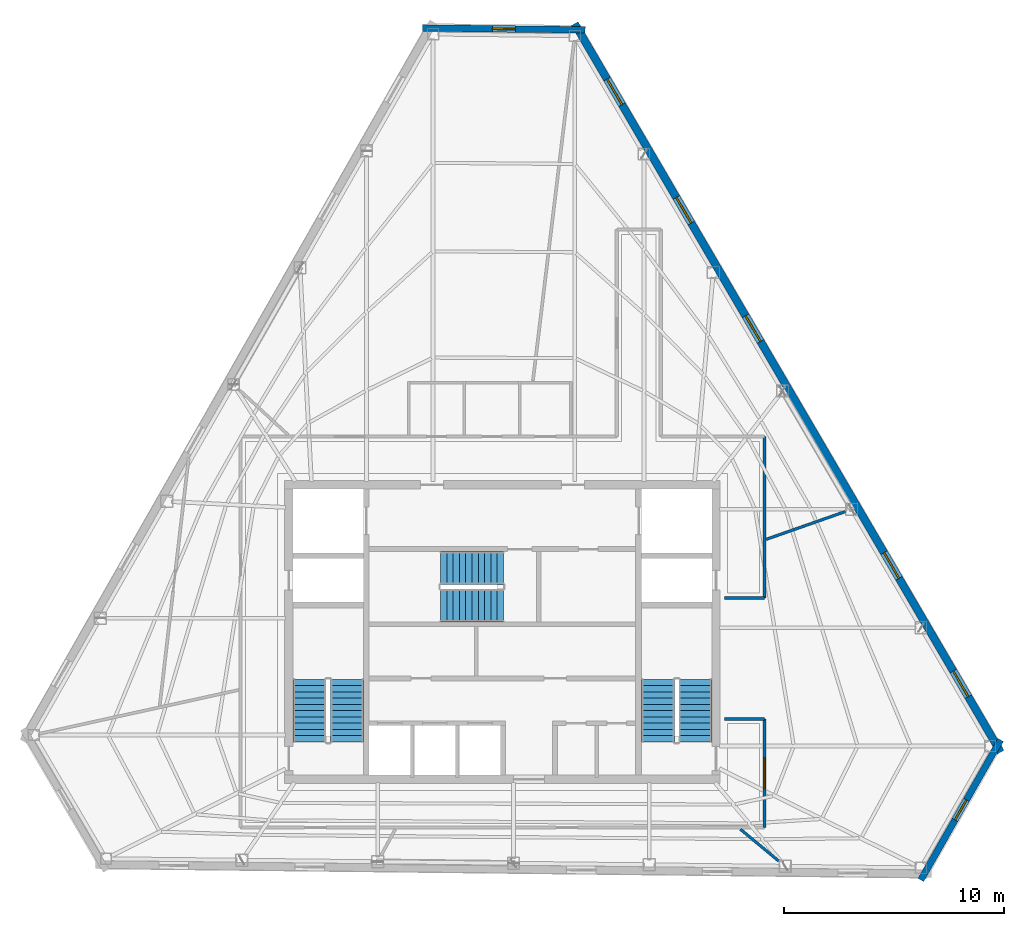
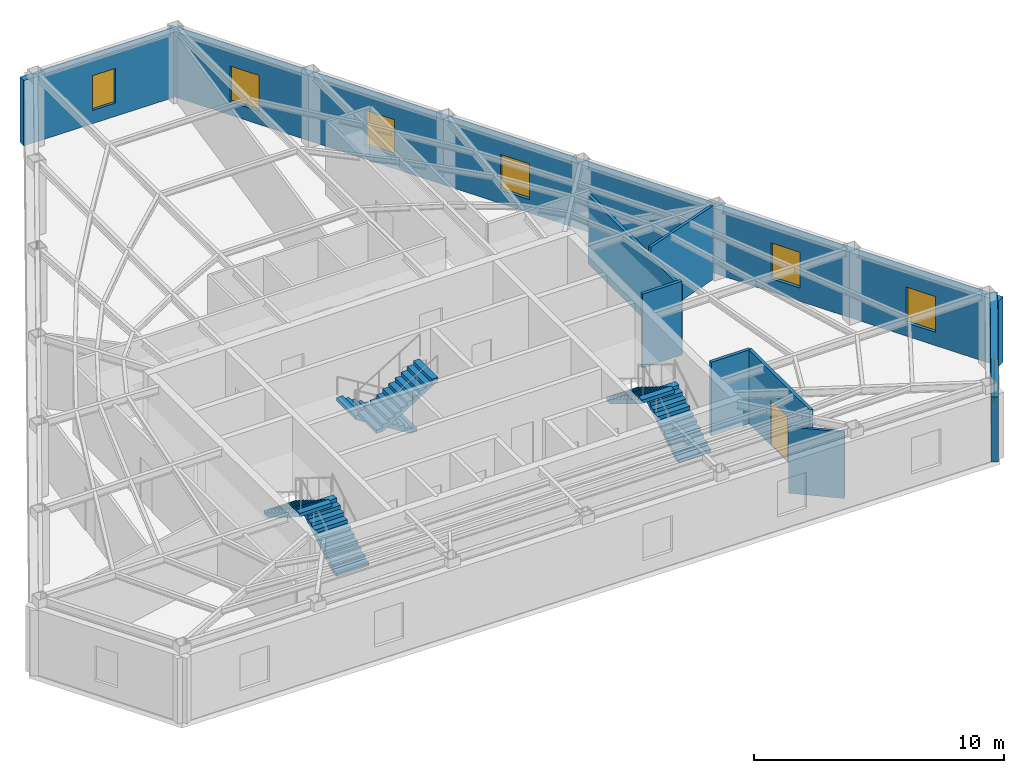
# One storey, part 9 of 10: 9 walls, 7 windows, 6 stair flights, 1 door, 8 openings, 3 elements without a shape of their own.
"""IFC4 building model written with IfcOpenShell, lengths in metres."""

from ifc_helpers import new_model, si_unit, direction, frame, frame_2d, origin, place, context, subcontext, project, spatial, polyline, rectangle, outline, extrude, material, layer, layer_set, type_object, element, fill, aggregate, save


model = new_model("IFC4")

# Units and contexts
model_context = context("Model", 3, precision=1e-05, world=origin(), true_north=direction((0.0, 1.0)))
body_context = subcontext(model_context, "Body", "Model", "MODEL_VIEW")
ifc_project = project(units=[si_unit("LENGTHUNIT", "METRE"), si_unit("AREAUNIT", "SQUARE_METRE"), si_unit("VOLUMEUNIT", "CUBIC_METRE"), si_unit("PLANEANGLEUNIT", "RADIAN"), si_unit("MASSUNIT", "GRAM", prefix="KILO")], contexts=[model_context])

# Site, building, storey
site_placement = place(None, origin())
site = spatial("IfcSite", under=ifc_project, at=site_placement, CompositionType="ELEMENT")
building_placement = place(site_placement, origin())
building = spatial("IfcBuilding", under=site, at=building_placement, Name="Kavelnor Concourse Tower", CompositionType="ELEMENT")
storey_placement = place(building_placement, frame((0.0, 0.0, 251.050048828125)))
storey = spatial("IfcBuildingStorey", under=building, at=storey_placement, Name="L63", CompositionType="ELEMENT", Elevation=251.050048828125)

# Wall, opening, window
ifc_material_1 = material(Name="Buff ironspot clay face brick masonry", Category="masonry")
ifc_layer_1 = layer(ifc_material_1, 0.300048828125, Name="Buff ironspot clay face brick masonry")
ifc_layer_set_1 = layer_set([ifc_layer_1], Name="Buff ironspot clay face brick masonry")
wall_type_1 = type_object("IfcWallType", Name="WL-EXT-BUFF-BRICK-FOLD-300", PredefinedType="STANDARD", material=ifc_layer_set_1)
wall_1_placement = place(storey_placement, frame((34.367431640625, 43.563720703125, 0.0), z_axis=(0.0, 0.0, 1.0), x_axis=(0.999937028375, -0.011222267359, 0.0)))
wall_1 = element("IfcWall", 1, at=wall_1_placement, inside=storey, type_object=wall_type_1, Name="L63 Exterior Brick Facade Wall E0", PredefinedType="STANDARD", context=body_context, shape_type="SweptSolid", body=[
    extrude(rectangle(XDim=7.396728515625, YDim=0.300048828125, at=frame_2d((3.6982421875, 0.0))), origin(), (0.0, 0.0, 1.0), 3.196044921875),
])
opening_1_placement = place(wall_1_placement, frame((3.17333984375, 0.0, 0.64990234375)))
opening_1 = element("IfcOpeningElement", 2, at=opening_1_placement, cuts=wall_1, Name="Opening W-06", PredefinedType="OPENING", context=body_context, shape_type="SweptSolid", body=[
    extrude(rectangle(XDim=1.050048828125, YDim=1.699951171875, at=frame_2d((0.52490234375, 0.85009765625))), frame((0.0, 0.16015625, 0.0), z_axis=(0.0, -1.0, 0.0), x_axis=(1.0, 0.0, 0.0)), (0.0, 0.0, 1.0), 0.320068359375),
])
ifc_material_2 = material(Name="Double low-E argon insulated glazing", Category="glass")
window_type_1 = type_object("IfcWindowType", Name="WIN-FOLD-1050", PartitioningType="SINGLE_PANEL", PredefinedType="WINDOW", material=ifc_material_2)
window_1_placement = place(opening_1_placement, origin())
window_1 = element("IfcWindow", 3, at=window_1_placement, inside=storey, type_object=window_type_1, Name="L63 Chamfer-Fold Facet Window C0", OverallHeight=1.699951171875, OverallWidth=1.050048828125, PartitioningType="SINGLE_PANEL", PredefinedType="WINDOW", context=body_context, shape_type="SweptSolid", body=[
    extrude(rectangle(XDim=1.050048828125, YDim=1.699951171875, at=frame_2d((0.52490234375, 0.85009765625))), frame((0.0, 0.030029296875, 0.0), z_axis=(0.0, -1.0, 0.0), x_axis=(1.0, 0.0, 0.0)), (0.0, 0.0, 1.0), 0.06005859375),
])
fill(opening_1, window_1)

wall_2_placement = place(storey_placement, frame((60.65087890625, 11.19140625, 0.0), z_axis=(0.0, 0.0, 1.0), x_axis=(-0.495112521008, -0.868828862056, 0.0)))
wall_2 = element("IfcWall", 4, at=wall_2_placement, inside=storey, type_object=wall_type_1, Name="L63 Exterior Brick Facade Wall E4", PredefinedType="STANDARD", context=body_context, shape_type="SweptSolid", body=[
    extrude(rectangle(XDim=7.328369140625, YDim=0.300048828125, at=frame_2d((3.6640625, 0.0))), origin(), (0.0, 0.0, 1.0), 3.196044921875),
])
opening_2_placement = place(wall_2_placement, frame((3.139404296875, 0.0, 0.64990234375)))
opening_2 = element("IfcOpeningElement", 5, at=opening_2_placement, cuts=wall_2, Name="Opening W-06", PredefinedType="OPENING", context=body_context, shape_type="SweptSolid", body=[
    extrude(rectangle(XDim=1.050048828125, YDim=1.699951171875, at=frame_2d((0.52490234375, 0.85009765625))), frame((0.0, 0.16015625, 0.0), z_axis=(0.0, -1.0, 0.0), x_axis=(1.0, 0.0, 0.0)), (0.0, 0.0, 1.0), 0.320068359375),
])
window_2_placement = place(opening_2_placement, origin())
window_2 = element("IfcWindow", 6, at=window_2_placement, inside=storey, type_object=window_type_1, Name="L63 Chamfer-Fold Facet Window C2", OverallHeight=1.699951171875, OverallWidth=1.050048828125, PartitioningType="SINGLE_PANEL", PredefinedType="WINDOW", context=body_context, shape_type="SweptSolid", body=[
    extrude(rectangle(XDim=1.050048828125, YDim=1.699951171875, at=frame_2d((0.52490234375, 0.85009765625))), frame((0.0, 0.030029296875, 0.0), z_axis=(0.0, -1.0, 0.0), x_axis=(1.0, 0.0, 0.0)), (0.0, 0.0, 1.0), 0.06005859375),
])
fill(opening_2, window_2)

# Wall, openings, windows
ifc_material_3 = material(Name="Red-ochre clay face brick masonry", Category="masonry")
ifc_layer_2 = layer(ifc_material_3, 0.35009765625, Name="Red-ochre clay face brick masonry")
ifc_layer_set_2 = layer_set([ifc_layer_2], Name="Red-ochre clay face brick masonry")
wall_type_2 = type_object("IfcWallType", Name="WL-EXT-RED-BRICK-PIER-350", PredefinedType="STANDARD", material=ifc_layer_set_2)
wall_3_placement = place(storey_placement, frame((41.28369140625, 43.759521484375, 0.0), z_axis=(0.0, 0.0, 1.0), x_axis=(0.50479404613, -0.863239810824, 0.0)))
wall_3 = element("IfcWall", 7, at=wall_3_placement, inside=storey, type_object=wall_type_2, Name="L63 Exterior Brick Facade Wall E5", PredefinedType="STANDARD", context=body_context, shape_type="SweptSolid", body=[
    extrude(rectangle(XDim=38.372314453125, YDim=0.35009765625, at=frame_2d((19.18603515625, 0.0))), origin(), (0.0, 0.0, 1.0), 3.196044921875),
])
opening_3_placement = place(wall_3_placement, frame((34.1015625, 0.0, 0.64990234375)))
opening_3 = element("IfcOpeningElement", 8, at=opening_3_placement, cuts=wall_3, Name="Opening W-04", PredefinedType="OPENING", context=body_context, shape_type="SweptSolid", body=[
    extrude(rectangle(XDim=1.35009765625, YDim=1.75, at=frame_2d((0.675048828125, 0.875))), frame((0.0, 0.18505859375, 0.0), z_axis=(0.0, -1.0, 0.0), x_axis=(1.0, 0.0, 0.0)), (0.0, 0.0, 1.0), 0.3701171875),
])
opening_4_placement = place(wall_3_placement, frame((27.8642578125, 0.0, 0.64990234375)))
opening_4 = element("IfcOpeningElement", 9, at=opening_4_placement, cuts=wall_3, Name="Opening W-04", PredefinedType="OPENING", context=body_context, shape_type="SweptSolid", body=[
    extrude(rectangle(XDim=1.35009765625, YDim=1.75, at=frame_2d((0.675048828125, 0.875))), frame((0.0, 0.18505859375, 0.0), z_axis=(0.0, -1.0, 0.0), x_axis=(1.0, 0.0, 0.0)), (0.0, 0.0, 1.0), 0.3701171875),
])
opening_5_placement = place(wall_3_placement, frame((15.389892578125, 0.0, 0.64990234375)))
opening_5 = element("IfcOpeningElement", 10, at=opening_5_placement, cuts=wall_3, Name="Opening W-04", PredefinedType="OPENING", context=body_context, shape_type="SweptSolid", body=[
    extrude(rectangle(XDim=1.35009765625, YDim=1.75, at=frame_2d((0.675048828125, 0.875))), frame((0.0, 0.18505859375, 0.0), z_axis=(0.0, -1.0, 0.0), x_axis=(1.0, 0.0, 0.0)), (0.0, 0.0, 1.0), 0.3701171875),
])
opening_6_placement = place(wall_3_placement, frame((9.152587890625, 0.0, 0.64990234375)))
opening_6 = element("IfcOpeningElement", 11, at=opening_6_placement, cuts=wall_3, Name="Opening W-04", PredefinedType="OPENING", context=body_context, shape_type="SweptSolid", body=[
    extrude(rectangle(XDim=1.35009765625, YDim=1.75, at=frame_2d((0.675048828125, 0.875))), frame((0.0, 0.18505859375, 0.0), z_axis=(0.0, -1.0, 0.0), x_axis=(1.0, 0.0, 0.0)), (0.0, 0.0, 1.0), 0.3701171875),
])
opening_7_placement = place(wall_3_placement, frame((2.915283203125, 0.0, 0.64990234375)))
opening_7 = element("IfcOpeningElement", 12, at=opening_7_placement, cuts=wall_3, Name="Opening W-04", PredefinedType="OPENING", context=body_context, shape_type="SweptSolid", body=[
    extrude(rectangle(XDim=1.35009765625, YDim=1.75, at=frame_2d((0.675048828125, 0.875))), frame((0.0, 0.18505859375, 0.0), z_axis=(0.0, -1.0, 0.0), x_axis=(1.0, 0.0, 0.0)), (0.0, 0.0, 1.0), 0.3701171875),
])
window_type_2 = type_object("IfcWindowType", Name="WIN-PIER-Z4-1350", PartitioningType="SINGLE_PANEL", PredefinedType="WINDOW", material=ifc_material_2)
window_3_placement = place(opening_3_placement, origin())
window_3 = element("IfcWindow", 13, at=window_3_placement, inside=storey, type_object=window_type_2, Name="L63 Deep-Set Brick Pier Window F2-B0", OverallHeight=1.75, OverallWidth=1.35009765625, PartitioningType="SINGLE_PANEL", PredefinedType="WINDOW", context=body_context, shape_type="SweptSolid", body=[
    extrude(rectangle(XDim=1.35009765625, YDim=1.75, at=frame_2d((0.675048828125, 0.875))), frame((0.0, 0.030029296875, 0.0), z_axis=(0.0, -1.0, 0.0), x_axis=(1.0, 0.0, 0.0)), (0.0, 0.0, 1.0), 0.06005859375),
])
fill(opening_3, window_3)
window_4_placement = place(opening_4_placement, origin())
window_4 = element("IfcWindow", 14, at=window_4_placement, inside=storey, type_object=window_type_2, Name="L63 Deep-Set Brick Pier Window F2-B1", OverallHeight=1.75, OverallWidth=1.35009765625, PartitioningType="SINGLE_PANEL", PredefinedType="WINDOW", context=body_context, shape_type="SweptSolid", body=[
    extrude(rectangle(XDim=1.35009765625, YDim=1.75, at=frame_2d((0.675048828125, 0.875))), frame((0.0, 0.030029296875, 0.0), z_axis=(0.0, -1.0, 0.0), x_axis=(1.0, 0.0, 0.0)), (0.0, 0.0, 1.0), 0.06005859375),
])
fill(opening_4, window_4)
window_5_placement = place(opening_5_placement, origin())
window_5 = element("IfcWindow", 15, at=window_5_placement, inside=storey, type_object=window_type_2, Name="L63 Deep-Set Brick Pier Window F2-B3", OverallHeight=1.75, OverallWidth=1.35009765625, PartitioningType="SINGLE_PANEL", PredefinedType="WINDOW", context=body_context, shape_type="SweptSolid", body=[
    extrude(rectangle(XDim=1.35009765625, YDim=1.75, at=frame_2d((0.675048828125, 0.875))), frame((0.0, 0.030029296875, 0.0), z_axis=(0.0, -1.0, 0.0), x_axis=(1.0, 0.0, 0.0)), (0.0, 0.0, 1.0), 0.06005859375),
])
fill(opening_5, window_5)
window_6_placement = place(opening_6_placement, origin())
window_6 = element("IfcWindow", 16, at=window_6_placement, inside=storey, type_object=window_type_2, Name="L63 Deep-Set Brick Pier Window F2-B4", OverallHeight=1.75, OverallWidth=1.35009765625, PartitioningType="SINGLE_PANEL", PredefinedType="WINDOW", context=body_context, shape_type="SweptSolid", body=[
    extrude(rectangle(XDim=1.35009765625, YDim=1.75, at=frame_2d((0.675048828125, 0.875))), frame((0.0, 0.030029296875, 0.0), z_axis=(0.0, -1.0, 0.0), x_axis=(1.0, 0.0, 0.0)), (0.0, 0.0, 1.0), 0.06005859375),
])
fill(opening_6, window_6)
window_7_placement = place(opening_7_placement, origin())
window_7 = element("IfcWindow", 17, at=window_7_placement, inside=storey, type_object=window_type_2, Name="L63 Deep-Set Brick Pier Window F2-B5", OverallHeight=1.75, OverallWidth=1.35009765625, PartitioningType="SINGLE_PANEL", PredefinedType="WINDOW", context=body_context, shape_type="SweptSolid", body=[
    extrude(rectangle(XDim=1.35009765625, YDim=1.75, at=frame_2d((0.675048828125, 0.875))), frame((0.0, 0.030029296875, 0.0), z_axis=(0.0, -1.0, 0.0), x_axis=(1.0, 0.0, 0.0)), (0.0, 0.0, 1.0), 0.06005859375),
])
fill(opening_7, window_7)

# Walls
ifc_material_4 = material(Name="Gypsum plasterboard on light-gauge steel studs", Category="steel")
ifc_layer_3 = layer(ifc_material_4, 0.14501953125, Name="Gypsum plasterboard on light-gauge steel studs")
ifc_layer_set_3 = layer_set([ifc_layer_3], Name="Gypsum plasterboard on light-gauge steel studs")
wall_type_3 = type_object("IfcWallType", Name="WL-INT-CORR-145", PredefinedType="PARTITIONING", material=ifc_layer_set_3)
wall_4_placement = place(storey_placement, frame((49.909912109375, 24.989990234375, 0.0), z_axis=(0.0, 0.0, 1.0), x_axis=(0.0, -1.0, 0.0)))
element("IfcWall", 18, at=wall_4_placement, inside=storey, type_object=wall_type_3, Name="L63 Corridor Wall WL-L63-CR-05", PredefinedType="PARTITIONING", context=body_context, shape_type="SweptSolid", body=[
    extrude(rectangle(XDim=7.340087890625, YDim=0.14501953125, at=frame_2d((3.669921875, 0.0))), origin(), (0.0, 0.0, 1.0), 3.348876953125),
])
for number, where, z_axis, x_axis, name in (
    (19, (49.909912109375, 17.64990234375, 0.0), (0.0, 0.0, 1.0), (-1.0, 0.0, 0.0), "L63 Corridor Wall WL-L63-CR-06"),
    (20, (48.090087890625, 12.14990234375, 0.0), (0.0, 0.0, 1.0), (1.0, 0.0, 0.0), "L63 Corridor Wall WL-L63-CR-07"),
):
    element("IfcWall", number, at=place(storey_placement, frame(where, z_axis=z_axis, x_axis=x_axis)), inside=storey, type_object=wall_type_3, Name=name, PredefinedType="PARTITIONING", context=body_context, shape_type="SweptSolid", body=[
        extrude(rectangle(XDim=1.81982421875, YDim=0.14501953125, at=frame_2d((0.909912109375, 0.0))), origin(), (0.0, 0.0, 1.0), 3.60986328125),
    ])

# Wall, opening, door
wall_5_placement = place(storey_placement, frame((49.909912109375, 12.14990234375, 0.0), z_axis=(0.0, 0.0, 1.0), x_axis=(0.0, -1.0, 0.0)))
wall_5 = element("IfcWall", 21, at=wall_5_placement, inside=storey, type_object=wall_type_3, Name="L63 Corridor Wall WL-L63-CR-08", PredefinedType="PARTITIONING", context=body_context, shape_type="SweptSolid", body=[
    extrude(rectangle(XDim=4.93994140625, YDim=0.14501953125, at=frame_2d((2.469970703125, 0.0))), origin(), (0.0, 0.0, 1.0), 3.60986328125),
])
opening_8_placement = place(wall_5_placement, frame((1.77001953125, 0.0, 0.0)))
opening_8 = element("IfcOpeningElement", 22, at=opening_8_placement, cuts=wall_5, Name="Opening SD-140", PredefinedType="OPENING", context=body_context, shape_type="SweptSolid", body=[
    extrude(rectangle(XDim=1.39990234375, YDim=2.199951171875, at=frame_2d((0.699951171875, 1.10009765625))), frame((0.0, 0.08251953125, 0.0), z_axis=(0.0, -1.0, 0.0), x_axis=(1.0, 0.0, 0.0)), (0.0, 0.0, 1.0), 0.1650390625),
])
ifc_material_5 = material(Name="Solid-core hardwood timber", Category="wood")
door_type = type_object("IfcDoorType", Name="DR-SUITE-ENTRY-1400", OperationType="NOTDEFINED", PredefinedType="DOOR", material=ifc_material_5)
door_placement = place(opening_8_placement, origin())
door = element("IfcDoor", 23, at=door_placement, inside=storey, type_object=door_type, Name="L63 Workplace Open Office 07 Door", OperationType="SINGLE_SWING_LEFT", OverallHeight=2.199951171875, OverallWidth=1.39990234375, PredefinedType="DOOR", context=body_context, shape_type="SweptSolid", body=[
    extrude(rectangle(XDim=1.39990234375, YDim=2.199951171875, at=frame_2d((0.699951171875, 1.10009765625))), frame((0.0, 0.02490234375, 0.0), z_axis=(0.0, -1.0, 0.0), x_axis=(1.0, 0.0, 0.0)), (0.0, 0.0, 1.0), 0.050048828125),
])
fill(opening_8, door)

# Walls
ifc_layer_4 = layer(ifc_material_4, 0.125, Name="Gypsum plasterboard on light-gauge steel studs")
ifc_layer_set_4 = layer_set([ifc_layer_4], Name="Gypsum plasterboard on light-gauge steel studs")
wall_type_4 = type_object("IfcWallType", Name="WL-INT-SUITE-125", PredefinedType="PARTITIONING", material=ifc_layer_set_4)
wall_6_placement = place(storey_placement, frame((49.990478515625, 20.31201171875, 0.0), z_axis=(0.0, 0.0, 1.0), x_axis=(0.943507124712, 0.331352237986, 0.0)))
element("IfcWall", 24, at=wall_6_placement, inside=storey, type_object=wall_type_4, Name="L63 Radial Suite Partition 01", PredefinedType="PARTITIONING", context=body_context, shape_type="SweptSolid", body=[
    extrude(rectangle(XDim=3.8203125, YDim=0.125, at=frame_2d((1.91015625, 0.0))), origin(), (0.0, 0.0, 1.0), 3.60986328125),
])
wall_7_placement = place(storey_placement, frame((48.82080078125, 7.12939453125, 0.0), z_axis=(0.0, 0.0, 1.0), x_axis=(0.769836810093, -0.63824077418, 0.0)))
element("IfcWall", 25, at=wall_7_placement, inside=storey, type_object=wall_type_4, Name="L63 Radial Suite Partition 06", PredefinedType="PARTITIONING", context=body_context, shape_type="SweptSolid", body=[
    extrude(rectangle(XDim=2.263427734375, YDim=0.125, at=frame_2d((1.1318359375, 0.0))), origin(), (0.0, 0.0, 1.0), 3.245849609375),
])

# Stair, stair flights
ifc_material_6 = material(Name="Concrete C40/50", Category="concrete")
stair_type = type_object("IfcStairType", Name="STR-CORE-1500", PredefinedType="HALF_TURN_STAIR", material=ifc_material_6)
stair_1_placement = place(storey_placement, origin())
stair_1 = element("IfcStair", 26, at=stair_1_placement, inside=storey, type_object=stair_type, Name="L63 ST1", PredefinedType="HALF_TURN_STAIR")
stair_flight_type = type_object("IfcStairFlightType", Name="STR-FLIGHT-1500", PredefinedType="STRAIGHT", material=ifc_material_6)
stair_flight_1_placement = place(storey_placement, frame((30.929931640625, 11.10009765625, 0.0), z_axis=(0.0, 0.0, 1.0), x_axis=(0.0, 1.0, 0.0)))
stair_flight_1 = element("IfcStairFlight", 27, at=stair_flight_1_placement, type_object=stair_flight_type, Name="ST1 flight 1", NumberOfRisers=11, NumberOfTreads=10, PredefinedType="STRAIGHT", RiserHeight=0.175, TreadLength=0.285, context=body_context, shape_type="SweptSolid", body=[
    extrude(outline(polyline([(0.0, 0.0), (0.0, 0.175048828125), (0.284912109375, 0.175048828125), (0.284912109375, 0.35009765625), (0.570068359375, 0.35009765625), (0.570068359375, 0.52490234375), (0.85498046875, 0.52490234375), (0.85498046875, 0.699951171875), (1.139892578125, 0.699951171875), (1.139892578125, 0.875), (1.425048828125, 0.875), (1.425048828125, 1.050048828125), (1.7099609375, 1.050048828125), (1.7099609375, 1.22509765625), (1.9951171875, 1.22509765625), (1.9951171875, 1.39990234375), (2.280029296875, 1.39990234375), (2.280029296875, 1.574951171875), (2.56494140625, 1.574951171875), (2.56494140625, 1.75), (2.85009765625, 1.75), (2.85009765625, 1.925048828125), (2.85009765625, 1.573974609375), (0.286376953125, 0.0), (0.0, 0.0)])), frame((0.0, 0.75, 0.0), z_axis=(0.0, -1.0, 0.0), x_axis=(1.0, 0.0, 0.0)), (0.0, 0.0, 1.0), 1.5),
])
stair_flight_2_placement = place(storey_placement, frame((29.22998046875, 13.949951171875, 1.925048828125), z_axis=(0.0, 0.0, 1.0), x_axis=(0.0, -1.0, 0.0)))
stair_flight_2 = element("IfcStairFlight", 28, at=stair_flight_2_placement, type_object=stair_flight_type, Name="ST1 flight 2", NumberOfRisers=11, NumberOfTreads=10, PredefinedType="STRAIGHT", RiserHeight=0.175, TreadLength=0.285, context=body_context, shape_type="SweptSolid", body=[
    extrude(outline(polyline([(0.0, 0.0), (0.0, 0.175048828125), (0.284912109375, 0.175048828125), (0.284912109375, 0.35009765625), (0.570068359375, 0.35009765625), (0.570068359375, 0.52490234375), (0.85498046875, 0.52490234375), (0.85498046875, 0.699951171875), (1.139892578125, 0.699951171875), (1.139892578125, 0.875), (1.425048828125, 0.875), (1.425048828125, 1.050048828125), (1.7099609375, 1.050048828125), (1.7099609375, 1.22509765625), (1.9951171875, 1.22509765625), (1.9951171875, 1.39990234375), (2.280029296875, 1.39990234375), (2.280029296875, 1.574951171875), (2.56494140625, 1.574951171875), (2.56494140625, 1.75), (2.85009765625, 1.75), (2.85009765625, 1.925048828125), (2.85009765625, 1.573974609375), (0.286376953125, 0.0), (0.0, 0.0)])), frame((0.0, 0.75, 0.0), z_axis=(0.0, -1.0, 0.0), x_axis=(1.0, 0.0, 0.0)), (0.0, 0.0, 1.0), 1.5),
])
aggregate(stair_1, [stair_flight_1, stair_flight_2])

stair_2_placement = place(storey_placement, origin())
stair_2 = element("IfcStair", 29, at=stair_2_placement, inside=storey, type_object=stair_type, Name="L63 ST2", PredefinedType="HALF_TURN_STAIR")
stair_flight_3_placement = place(storey_placement, frame((46.77001953125, 11.10009765625, 0.0), z_axis=(0.0, 0.0, 1.0), x_axis=(0.0, 1.0, 0.0)))
stair_flight_3 = element("IfcStairFlight", 30, at=stair_flight_3_placement, type_object=stair_flight_type, Name="ST2 flight 1", NumberOfRisers=11, NumberOfTreads=10, PredefinedType="STRAIGHT", RiserHeight=0.175, TreadLength=0.285, context=body_context, shape_type="SweptSolid", body=[
    extrude(outline(polyline([(0.0, 0.0), (0.0, 0.175048828125), (0.284912109375, 0.175048828125), (0.284912109375, 0.35009765625), (0.570068359375, 0.35009765625), (0.570068359375, 0.52490234375), (0.85498046875, 0.52490234375), (0.85498046875, 0.699951171875), (1.139892578125, 0.699951171875), (1.139892578125, 0.875), (1.425048828125, 0.875), (1.425048828125, 1.050048828125), (1.7099609375, 1.050048828125), (1.7099609375, 1.22509765625), (1.9951171875, 1.22509765625), (1.9951171875, 1.39990234375), (2.280029296875, 1.39990234375), (2.280029296875, 1.574951171875), (2.56494140625, 1.574951171875), (2.56494140625, 1.75), (2.85009765625, 1.75), (2.85009765625, 1.925048828125), (2.85009765625, 1.573974609375), (0.286376953125, 0.0), (0.0, 0.0)])), frame((0.0, 0.75, 0.0), z_axis=(0.0, -1.0, 0.0), x_axis=(1.0, 0.0, 0.0)), (0.0, 0.0, 1.0), 1.5),
])
stair_flight_4_placement = place(storey_placement, frame((45.070068359375, 13.949951171875, 1.925048828125), z_axis=(0.0, 0.0, 1.0), x_axis=(0.0, -1.0, 0.0)))
stair_flight_4 = element("IfcStairFlight", 31, at=stair_flight_4_placement, type_object=stair_flight_type, Name="ST2 flight 2", NumberOfRisers=11, NumberOfTreads=10, PredefinedType="STRAIGHT", RiserHeight=0.175, TreadLength=0.285, context=body_context, shape_type="SweptSolid", body=[
    extrude(outline(polyline([(0.0, 0.0), (0.0, 0.175048828125), (0.284912109375, 0.175048828125), (0.284912109375, 0.35009765625), (0.570068359375, 0.35009765625), (0.570068359375, 0.52490234375), (0.85498046875, 0.52490234375), (0.85498046875, 0.699951171875), (1.139892578125, 0.699951171875), (1.139892578125, 0.875), (1.425048828125, 0.875), (1.425048828125, 1.050048828125), (1.7099609375, 1.050048828125), (1.7099609375, 1.22509765625), (1.9951171875, 1.22509765625), (1.9951171875, 1.39990234375), (2.280029296875, 1.39990234375), (2.280029296875, 1.574951171875), (2.56494140625, 1.574951171875), (2.56494140625, 1.75), (2.85009765625, 1.75), (2.85009765625, 1.925048828125), (2.85009765625, 1.573974609375), (0.286376953125, 0.0), (0.0, 0.0)])), frame((0.0, 0.75, 0.0), z_axis=(0.0, -1.0, 0.0), x_axis=(1.0, 0.0, 0.0)), (0.0, 0.0, 1.0), 1.5),
])
aggregate(stair_2, [stair_flight_3, stair_flight_4])

stair_3_placement = place(storey_placement, origin())
stair_3 = element("IfcStair", 32, at=stair_3_placement, inside=storey, type_object=stair_type, Name="L63 ST3", PredefinedType="HALF_TURN_STAIR")
stair_flight_5_placement = place(storey_placement, frame((38.0400390625, 19.010009765625, 0.0), z_axis=(0.0, 0.0, 1.0), x_axis=(-1.0, 0.0, 0.0)))
stair_flight_5 = element("IfcStairFlight", 33, at=stair_flight_5_placement, type_object=stair_flight_type, Name="ST3 flight 1", NumberOfRisers=11, NumberOfTreads=10, PredefinedType="STRAIGHT", RiserHeight=0.175, TreadLength=0.285, context=body_context, shape_type="SweptSolid", body=[
    extrude(outline(polyline([(0.0, 0.0), (0.0, 0.175048828125), (0.284912109375, 0.175048828125), (0.284912109375, 0.35009765625), (0.570068359375, 0.35009765625), (0.570068359375, 0.52490234375), (0.85498046875, 0.52490234375), (0.85498046875, 0.699951171875), (1.139892578125, 0.699951171875), (1.139892578125, 0.875), (1.425048828125, 0.875), (1.425048828125, 1.050048828125), (1.7099609375, 1.050048828125), (1.7099609375, 1.22509765625), (1.9951171875, 1.22509765625), (1.9951171875, 1.39990234375), (2.280029296875, 1.39990234375), (2.280029296875, 1.574951171875), (2.56494140625, 1.574951171875), (2.56494140625, 1.75), (2.85009765625, 1.75), (2.85009765625, 1.925048828125), (2.85009765625, 1.573974609375), (0.286376953125, 0.0), (0.0, 0.0)])), frame((0.0, 0.75, 0.0), z_axis=(0.0, -1.0, 0.0), x_axis=(1.0, 0.0, 0.0)), (0.0, 0.0, 1.0), 1.5),
])
stair_flight_6_placement = place(storey_placement, frame((35.18994140625, 17.31005859375, 1.925048828125), z_axis=(0.0, 0.0, 1.0), x_axis=(1.0, 0.0, 0.0)))
stair_flight_6 = element("IfcStairFlight", 34, at=stair_flight_6_placement, type_object=stair_flight_type, Name="ST3 flight 2", NumberOfRisers=11, NumberOfTreads=10, PredefinedType="STRAIGHT", RiserHeight=0.175, TreadLength=0.285, context=body_context, shape_type="SweptSolid", body=[
    extrude(outline(polyline([(0.0, 0.0), (0.0, 0.175048828125), (0.284912109375, 0.175048828125), (0.284912109375, 0.35009765625), (0.570068359375, 0.35009765625), (0.570068359375, 0.52490234375), (0.85498046875, 0.52490234375), (0.85498046875, 0.699951171875), (1.139892578125, 0.699951171875), (1.139892578125, 0.875), (1.425048828125, 0.875), (1.425048828125, 1.050048828125), (1.7099609375, 1.050048828125), (1.7099609375, 1.22509765625), (1.9951171875, 1.22509765625), (1.9951171875, 1.39990234375), (2.280029296875, 1.39990234375), (2.280029296875, 1.574951171875), (2.56494140625, 1.574951171875), (2.56494140625, 1.75), (2.85009765625, 1.75), (2.85009765625, 1.925048828125), (2.85009765625, 1.573974609375), (0.286376953125, 0.0), (0.0, 0.0)])), frame((0.0, 0.75, 0.0), z_axis=(0.0, -1.0, 0.0), x_axis=(1.0, 0.0, 0.0)), (0.0, 0.0, 1.0), 1.5),
])
aggregate(stair_3, [stair_flight_5, stair_flight_6])

save(model, "model.ifc")
